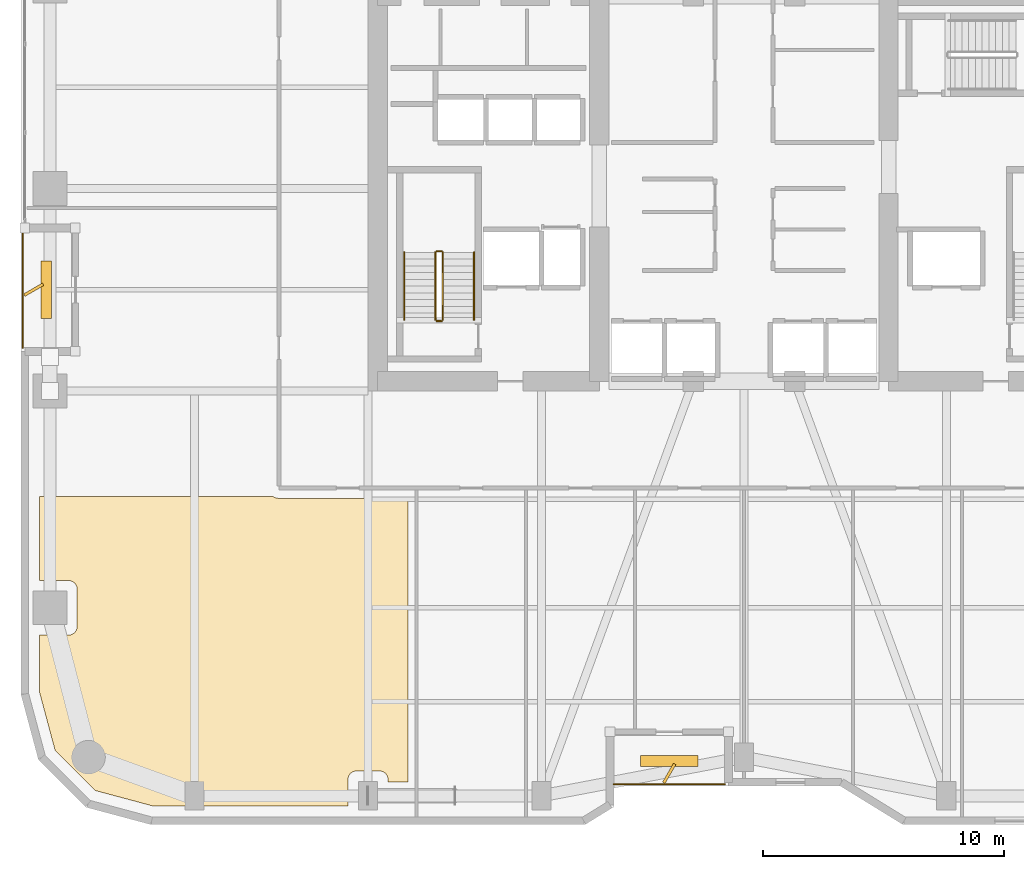
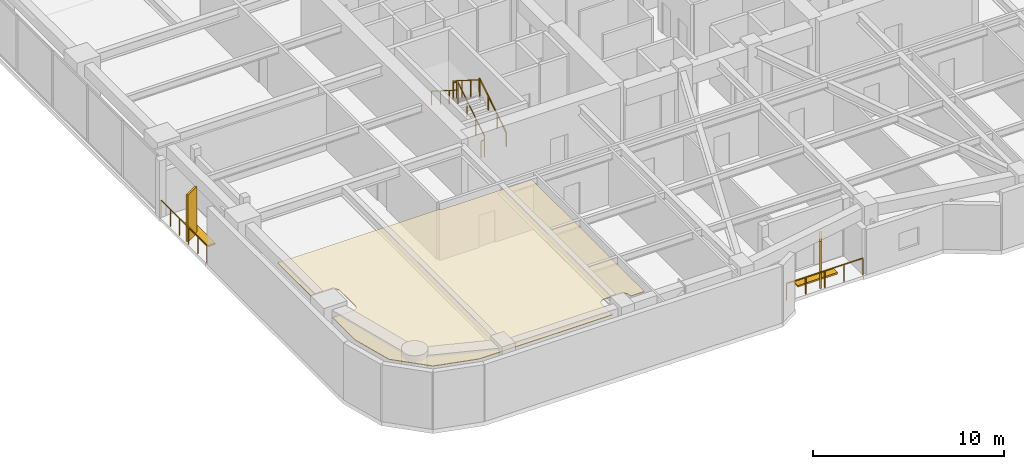
# One storey, part 22 of 24: 8 railings, 4 shading devices, 1 covering.
"""IFC4 building model written with IfcOpenShell, lengths in metres."""

from ifc_helpers import new_model, si_unit, direction, frame, origin, origin_2d, place, context, subcontext, project, spatial, polyline, rectangle, outline, extrude, material, layer, layer_set, type_object, element, save


model = new_model("IFC4")

# Units and contexts
model_context = context("Model", 3, precision=1e-05, world=origin(), true_north=direction((0.0, 1.0)))
body_context = subcontext(model_context, "Body", "Model", "MODEL_VIEW")
ifc_project = project(units=[si_unit("LENGTHUNIT", "METRE"), si_unit("AREAUNIT", "SQUARE_METRE"), si_unit("VOLUMEUNIT", "CUBIC_METRE"), si_unit("PLANEANGLEUNIT", "RADIAN"), si_unit("MASSUNIT", "GRAM", prefix="KILO")], contexts=[model_context])

# Site, building, storey
site_placement = place(None, origin())
site = spatial("IfcSite", under=ifc_project, at=site_placement, CompositionType="ELEMENT")
building_placement = place(site_placement, origin())
building = spatial("IfcBuilding", under=site, at=building_placement, Name="Kiyonajd Concourse Tower", CompositionType="ELEMENT")
storey_placement = place(building_placement, frame((0.0, 0.0, 113.10009765625)))
storey = spatial("IfcBuildingStorey", under=building, at=storey_placement, Name="L29", CompositionType="ELEMENT", Elevation=113.10009765625)

# Covering
ifc_material_1 = material(Name="Natural Oak Acoustic Timber Veneer", Category="wood")
ifc_layer = layer(ifc_material_1, 0.0400390625)
ifc_layer_set = layer_set([ifc_layer], Name="Natural Oak Acoustic Timber Veneer")
covering_type = type_object("IfcCoveringType", Name="CV-CLG-ACST", PredefinedType="CEILING", material=ifc_layer_set)
covering_placement = place(storey_placement, frame((0.0, 0.0, 3.4599609375)))
element("IfcCovering", 1, at=covering_placement, inside=storey, type_object=covering_type, Name="L29-41 Room Acoustic Ceiling", PredefinedType="CEILING", context=body_context, shape_type="SweptSolid", body=[
    extrude(outline(polyline([(19.4140625, 12.697998046875), (18.77001953125, 15.10107421875), (18.77001953125, 17.469970703125), (20.013916015625, 17.471923828125), (20.08203125, 17.485107421875), (20.14501953125, 17.510986328125), (20.201904296875, 17.549072265625), (20.2509765625, 17.597900390625), (20.2890625, 17.655029296875), (20.31494140625, 17.718017578125), (20.330078125, 17.820068359375), (20.327880859375, 19.4140625), (20.31494140625, 19.48193359375), (20.2890625, 19.544921875), (20.22705078125, 19.626953125), (20.14501953125, 19.68896484375), (20.048095703125, 19.722900390625), (19.97998046875, 19.72998046875), (18.77001953125, 19.72998046875), (18.77001953125, 23.219970703125), (28.451904296875, 23.219970703125), (28.507080078125, 23.18603515625), (28.570068359375, 23.159912109375), (28.699951171875, 23.139892578125), (34.070068359375, 23.139892578125), (34.070068359375, 11.3701171875), (33.22998046875, 11.3701171875), (33.222900390625, 11.548095703125), (33.202880859375, 11.614013671875), (33.1708984375, 11.674072265625), (33.126953125, 11.72705078125), (33.073974609375, 11.77099609375), (33.013916015625, 11.802978515625), (32.947998046875, 11.822998046875), (32.8798828125, 11.830078125), (31.919921875, 11.830078125), (31.85205078125, 11.822998046875), (31.785888671875, 11.802978515625), (31.697998046875, 11.7509765625), (31.64892578125, 11.701904296875), (31.611083984375, 11.64501953125), (31.576904296875, 11.548095703125), (31.570068359375, 11.47998046875), (31.570068359375, 10.3701171875), (23.5009765625, 10.3701171875), (21.097900390625, 11.013916015625), (19.4140625, 12.697998046875)])), origin(), (0.0, 0.0, 1.0), 0.0400390625),
])

# Railings
ifc_material_2 = material(Name="Thermally Broken Anodised Aluminium", Category="aluminium")
railing_type_1 = type_object("IfcRailingType", Name="RL-GRD-LOG", PredefinedType="GUARDRAIL", material=ifc_material_2)
railing_1_placement = place(storey_placement, frame((42.60009765625, 11.280029296875, 0.0)))
element("IfcRailing", 2, at=railing_1_placement, inside=storey, type_object=railing_type_1, Name="L29 Engawa Loggia Perimeter Guard LOG-S", PredefinedType="GUARDRAIL", context=body_context, shape_type="SweptSolid", body=[
    extrude(rectangle(XDim=0.048095703125, YDim=0.048095703125, at=origin_2d()), frame((0.0, 0.0, 1.076171875), z_axis=(1.0, 0.0, 0.0), x_axis=(0.0, 1.0, 0.0)), (0.0, 0.0, 1.0), 4.599853515625),
    extrude(rectangle(XDim=0.0419921875, YDim=0.0419921875, at=origin_2d()), origin(), (0.0, 0.0, 1.0), 1.052001953125),
    extrude(rectangle(XDim=0.0419921875, YDim=0.0419921875, at=origin_2d()), frame((1.14990234375, 0.0, 0.0)), (0.0, 0.0, 1.0), 1.052001953125),
    extrude(rectangle(XDim=0.0419921875, YDim=0.0419921875, at=origin_2d()), frame((2.2998046875, 0.0, 0.0)), (0.0, 0.0, 1.0), 1.052001953125),
    extrude(rectangle(XDim=0.0419921875, YDim=0.0419921875, at=origin_2d()), frame((3.449951171875, 0.0, 0.0)), (0.0, 0.0, 1.0), 1.052001953125),
    extrude(rectangle(XDim=0.0419921875, YDim=0.0419921875, at=origin_2d()), frame((4.599853515625, 0.0, 0.0)), (0.0, 0.0, 1.0), 1.052001953125),
])
railing_2_placement = place(storey_placement, frame((18.080078125, 34.199951171875, 0.0)))
element("IfcRailing", 3, at=railing_2_placement, inside=storey, type_object=railing_type_1, Name="L29 Engawa Loggia Perimeter Guard LOG-W", PredefinedType="GUARDRAIL", context=body_context, shape_type="SweptSolid", body=[
    extrude(rectangle(XDim=0.048095703125, YDim=0.048095703125, at=origin_2d()), frame((0.0, 0.0, 1.076171875), z_axis=(0.0, -1.0, 0.0), x_axis=(1.0, 0.0, 0.0)), (0.0, 0.0, 1.0), 4.800048828125),
    extrude(rectangle(XDim=0.0419921875, YDim=0.0419921875, at=origin_2d()), origin(), (0.0, 0.0, 1.0), 1.052001953125),
    extrude(rectangle(XDim=0.0419921875, YDim=0.0419921875, at=origin_2d()), frame((0.0, -0.9599609375, 0.0)), (0.0, 0.0, 1.0), 1.052001953125),
    extrude(rectangle(XDim=0.0419921875, YDim=0.0419921875, at=origin_2d()), frame((0.0, -1.919921875, 0.0)), (0.0, 0.0, 1.0), 1.052001953125),
    extrude(rectangle(XDim=0.0419921875, YDim=0.0419921875, at=origin_2d()), frame((0.0, -2.880126953125, 0.0)), (0.0, 0.0, 1.0), 1.052001953125),
    extrude(rectangle(XDim=0.0419921875, YDim=0.0419921875, at=origin_2d()), frame((0.0, -3.840087890625, 0.0)), (0.0, 0.0, 1.0), 1.052001953125),
    extrude(rectangle(XDim=0.0419921875, YDim=0.0419921875, at=origin_2d()), frame((0.0, -4.800048828125, 0.0)), (0.0, 0.0, 1.0), 1.052001953125),
])
ifc_material_3 = material(Name="Steel ASTM A500 Grade C", Category="steel")
railing_type_2 = type_object("IfcRailingType", Name="RL-GRD-STR", PredefinedType="GUARDRAIL", material=ifc_material_3)
railing_3_placement = place(storey_placement, frame((35.5, 30.550048828125, 0.17724609375)))
element("IfcRailing", 4, at=railing_3_placement, inside=storey, type_object=railing_type_2, Name="L29 ST1 stair guard 1", PredefinedType="GUARDRAIL", context=body_context, shape_type="SweptSolid", body=[
    extrude(rectangle(XDim=0.048095703125, YDim=0.048095703125, at=origin_2d()), frame((0.0, 0.0, 1.076171875), z_axis=(0.0, 0.844908973607, 0.534910110503), x_axis=(-1.0, 0.0, 0.0)), (0.0, 0.0, 1.0), 3.31396484375),
    extrude(rectangle(XDim=0.0419921875, YDim=0.0419921875, at=origin_2d()), origin(), (0.0, 0.0, 1.0), 1.052001953125),
    extrude(rectangle(XDim=0.0419921875, YDim=0.0419921875, at=origin_2d()), frame((0.0, 0.933349609375, 0.5908203125)), (0.0, 0.0, 1.0), 1.052001953125),
    extrude(rectangle(XDim=0.0419921875, YDim=0.0419921875, at=origin_2d()), frame((0.0, 1.86669921875, 1.181884765625)), (0.0, 0.0, 1.0), 1.052001953125),
    extrude(rectangle(XDim=0.0419921875, YDim=0.0419921875, at=origin_2d()), frame((0.0, 2.800048828125, 1.772705078125)), (0.0, 0.0, 1.0), 1.052001953125),
])
railing_4_placement = place(storey_placement, frame((35.449951171875, 33.39990234375, 1.949951171875)))
element("IfcRailing", 5, at=railing_4_placement, inside=storey, type_object=railing_type_2, Name="L29 ST1 stair guard 2", PredefinedType="GUARDRAIL", context=body_context, shape_type="SweptSolid", body=[
    extrude(rectangle(XDim=0.048095703125, YDim=0.048095703125, at=origin_2d()), frame((0.0, 0.0, 1.076171875), z_axis=(-1.0, 0.0, 0.0), x_axis=(0.0, -1.0, 0.0)), (0.0, 0.0, 1.0), 0.199951171875),
    extrude(rectangle(XDim=0.0419921875, YDim=0.0419921875, at=origin_2d()), origin(), (0.0, 0.0, 1.0), 1.052001953125),
    extrude(rectangle(XDim=0.0419921875, YDim=0.0419921875, at=origin_2d()), frame((-0.199951171875, 0.0, 0.0)), (0.0, 0.0, 1.0), 1.052001953125),
])
railing_5_placement = place(storey_placement, frame((35.199951171875, 33.35009765625, 2.127197265625)))
element("IfcRailing", 6, at=railing_5_placement, inside=storey, type_object=railing_type_2, Name="L29 ST1 stair guard 3", PredefinedType="GUARDRAIL", context=body_context, shape_type="SweptSolid", body=[
    extrude(rectangle(XDim=0.048095703125, YDim=0.048095703125, at=origin_2d()), frame((0.0, 0.0, 1.076171875), z_axis=(0.0, -0.844908973607, 0.534910110503), x_axis=(1.0, 0.0, 0.0)), (0.0, 0.0, 1.0), 3.31396484375),
    extrude(rectangle(XDim=0.0419921875, YDim=0.0419921875, at=origin_2d()), origin(), (0.0, 0.0, 1.0), 1.052001953125),
    extrude(rectangle(XDim=0.0419921875, YDim=0.0419921875, at=origin_2d()), frame((0.0, -0.933349609375, 0.5908203125)), (0.0, 0.0, 1.0), 1.052001953125),
    extrude(rectangle(XDim=0.0419921875, YDim=0.0419921875, at=origin_2d()), frame((0.0, -1.86669921875, 1.181884765625)), (0.0, 0.0, 1.0), 1.052001953125),
    extrude(rectangle(XDim=0.0419921875, YDim=0.0419921875, at=origin_2d()), frame((0.0, -2.800048828125, 1.772705078125)), (0.0, 0.0, 1.0), 1.052001953125),
])
railing_6_placement = place(storey_placement, frame((35.449951171875, 30.5, 0.0)))
element("IfcRailing", 7, at=railing_6_placement, inside=storey, type_object=railing_type_2, Name="L29 ST1 stair guard 4", PredefinedType="GUARDRAIL", context=body_context, shape_type="SweptSolid", body=[
    extrude(rectangle(XDim=0.048095703125, YDim=0.048095703125, at=origin_2d()), frame((0.0, 0.0, 1.076171875), z_axis=(-1.0, 0.0, 0.0), x_axis=(0.0, -1.0, 0.0)), (0.0, 0.0, 1.0), 0.199951171875),
    extrude(rectangle(XDim=0.0419921875, YDim=0.0419921875, at=origin_2d()), origin(), (0.0, 0.0, 1.0), 1.052001953125),
    extrude(rectangle(XDim=0.0419921875, YDim=0.0419921875, at=origin_2d()), frame((-0.199951171875, 0.0, 0.0)), (0.0, 0.0, 1.0), 1.052001953125),
])
ifc_material_4 = material(Name="Brushed Stainless Steel Cab Assembly", Category="steel")
railing_type_3 = type_object("IfcRailingType", Name="RL-HND-900", PredefinedType="HANDRAIL", material=ifc_material_4)
railing_7_placement = place(storey_placement, frame((36.800048828125, 30.550048828125, 0.17724609375)))
element("IfcRailing", 8, at=railing_7_placement, inside=storey, type_object=railing_type_3, Name="L29 ST1 stair handrail 1", PredefinedType="HANDRAIL", context=body_context, shape_type="SweptSolid", body=[
    extrude(rectangle(XDim=0.048095703125, YDim=0.048095703125, at=origin_2d()), frame((0.0, 0.0, 0.8759765625), z_axis=(0.0, 0.844908973607, 0.534910110503), x_axis=(-1.0, 0.0, 0.0)), (0.0, 0.0, 1.0), 3.31396484375),
    extrude(rectangle(XDim=0.0419921875, YDim=0.0419921875, at=origin_2d()), origin(), (0.0, 0.0, 1.0), 0.851806640625),
    extrude(rectangle(XDim=0.0419921875, YDim=0.0419921875, at=origin_2d()), frame((0.0, 0.933349609375, 0.5908203125)), (0.0, 0.0, 1.0), 0.851806640625),
    extrude(rectangle(XDim=0.0419921875, YDim=0.0419921875, at=origin_2d()), frame((0.0, 1.86669921875, 1.181884765625)), (0.0, 0.0, 1.0), 0.851806640625),
    extrude(rectangle(XDim=0.0419921875, YDim=0.0419921875, at=origin_2d()), frame((0.0, 2.800048828125, 1.772705078125)), (0.0, 0.0, 1.0), 0.851806640625),
])
railing_8_placement = place(storey_placement, frame((33.89990234375, 33.35009765625, 2.127197265625)))
element("IfcRailing", 9, at=railing_8_placement, inside=storey, type_object=railing_type_3, Name="L29 ST1 stair handrail 2", PredefinedType="HANDRAIL", context=body_context, shape_type="SweptSolid", body=[
    extrude(rectangle(XDim=0.048095703125, YDim=0.048095703125, at=origin_2d()), frame((0.0, 0.0, 0.8759765625), z_axis=(0.0, -0.844908973607, 0.534910110503), x_axis=(1.0, 0.0, 0.0)), (0.0, 0.0, 1.0), 3.31396484375),
    extrude(rectangle(XDim=0.0419921875, YDim=0.0419921875, at=origin_2d()), origin(), (0.0, 0.0, 1.0), 0.851806640625),
    extrude(rectangle(XDim=0.0419921875, YDim=0.0419921875, at=origin_2d()), frame((0.0, -0.933349609375, 0.5908203125)), (0.0, 0.0, 1.0), 0.851806640625),
    extrude(rectangle(XDim=0.0419921875, YDim=0.0419921875, at=origin_2d()), frame((0.0, -1.86669921875, 1.181884765625)), (0.0, 0.0, 1.0), 0.851806640625),
    extrude(rectangle(XDim=0.0419921875, YDim=0.0419921875, at=origin_2d()), frame((0.0, -2.800048828125, 1.772705078125)), (0.0, 0.0, 1.0), 0.851806640625),
])

# Shading devices
ifc_material_5 = material(Name="Precast concrete C50/60", Category="concrete")
shading_device_type_1 = type_object("IfcShadingDeviceType", Name="SH-FIN-900", PredefinedType="USERDEFINED", material=ifc_material_5)
for number, where, z_axis, x_axis, name in (
    (10, (44.89990234375, 11.72998046875, 0.0), (0.0, 0.0, 1.0), (0.5, 0.866025403784, 0.0), "L29 Angled Koshi Solar Fin LOG-S"),
    (11, (18.530029296875, 31.800048828125, 0.0), (0.0, 0.0, 1.0), (0.866025403784, 0.5, 0.0), "L29 Angled Koshi Solar Fin LOG-W"),
):
    element("IfcShadingDevice", number, at=place(storey_placement, frame(where, z_axis=z_axis, x_axis=x_axis)), inside=storey, type_object=shading_device_type_1, Name=name, ObjectType="FIN", PredefinedType="USERDEFINED", context=body_context, shape_type="SweptSolid", body=[
        extrude(rectangle(XDim=0.89990234375, YDim=0.1201171875, at=origin_2d()), origin(), (0.0, 0.0, 1.0), 3.0),
    ])
shading_device_type_2 = type_object("IfcShadingDeviceType", Name="SH-LVR-600", PredefinedType="JALOUSIE", material=ifc_material_2)
for number, where, z_axis, x_axis, name in (
    (12, (44.89990234375, 12.25, -0.000244140625), (0.0, 0.0, 1.0), (1.0, 0.0, 0.0), "L29 Loggia Threshold Louver LOG-S"),
    (13, (19.050048828125, 31.800048828125, -0.000244140625), (0.0, 0.0, 1.0), (0.0, 1.0, 0.0), "L29 Loggia Threshold Louver LOG-W"),
):
    element("IfcShadingDevice", number, at=place(storey_placement, frame(where, z_axis=z_axis, x_axis=x_axis)), inside=storey, type_object=shading_device_type_2, Name=name, PredefinedType="JALOUSIE", context=body_context, shape_type="SweptSolid", body=[
        extrude(rectangle(XDim=2.39990234375, YDim=0.449951171875, at=origin_2d()), origin(), (0.0, 0.0, 1.0), 0.10009765625),
    ])

save(model, "model.ifc")
